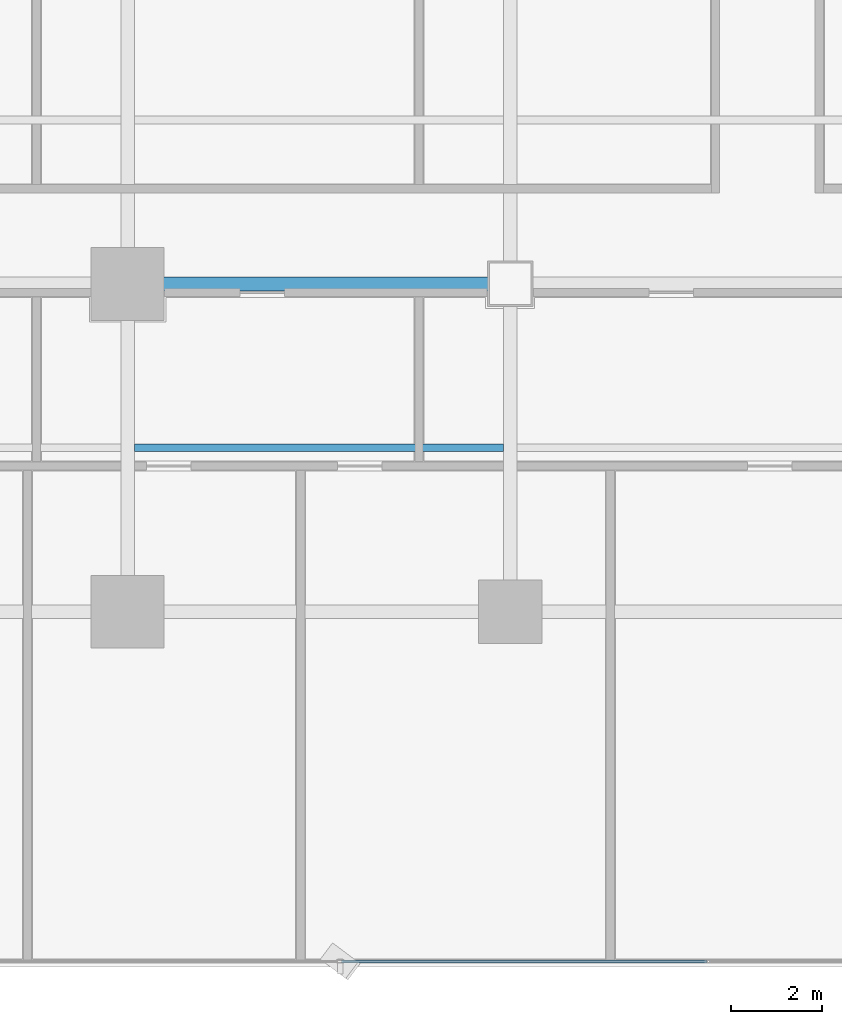
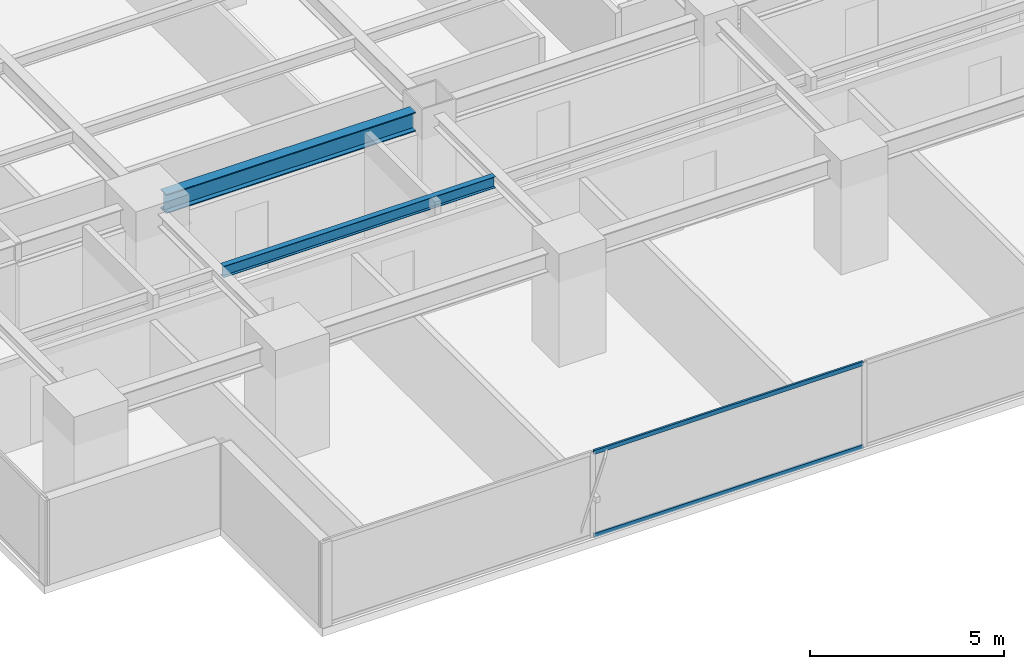
# One storey, part 5 of 36: 2 beams, 2 members, 1 element without a shape of its own.
"""IFC4 building model written with IfcOpenShell, lengths in metres."""

from ifc_helpers import new_model, si_unit, direction, frame, origin, origin_2d, place, context, subcontext, project, spatial, hollow_rectangle, i_section, extrude, source, transform, mapped, material, layer, layer_set, material_profile, profile_set, type_object, element, aggregate, save


model = new_model("IFC4")

# Units and contexts
model_context = context("Model", 3, precision=1e-05, world=origin(), true_north=direction((0.0, 1.0)))
body_context = subcontext(model_context, "Body", "Model", "MODEL_VIEW")
ifc_project = project(units=[si_unit("LENGTHUNIT", "METRE"), si_unit("AREAUNIT", "SQUARE_METRE"), si_unit("VOLUMEUNIT", "CUBIC_METRE"), si_unit("PLANEANGLEUNIT", "RADIAN"), si_unit("MASSUNIT", "GRAM", prefix="KILO")], contexts=[model_context])

# Site, building, storey
site_placement = place(None, origin())
site = spatial("IfcSite", under=ifc_project, at=site_placement, CompositionType="ELEMENT")
building_placement = place(site_placement, origin())
building = spatial("IfcBuilding", under=site, at=building_placement, Name="Sumidabori Civic Tower", CompositionType="ELEMENT")
storey_placement = place(building_placement, frame((0.0, 0.0, 120.800048828125)))
storey = spatial("IfcBuildingStorey", under=building, at=storey_placement, Name="L31", CompositionType="ELEMENT", Elevation=120.800048828125)

# Beams
ifc_material_1 = material(Name="Steel SN490", Category="steel")
ifc_material_profile_1 = material_profile(ifc_material_1, i_section(OverallWidth=0.300048828125, OverallDepth=0.60009765625, WebThickness=0.015380859375, FlangeThickness=0.030029296875, at=origin_2d()), Name="HE 600 B")
ifc_profile_set_1 = profile_set([ifc_material_profile_1], Name="Steel SN490")
beam_type_1 = type_object("IfcBeamType", Name="BM-GIRD-600", PredefinedType="BEAM", material=ifc_profile_set_1)
shared_shape_1 = source(origin(), body_context, "Body", "SweptSolid", [
    extrude(i_section(OverallWidth=0.300048828125, OverallDepth=0.60009765625, WebThickness=0.015380859375, FlangeThickness=0.030029296875, at=origin_2d()), origin(), (0.0, 0.0, 1.0), 7.440185546875),
])
beam_1_placement = place(storey_placement, frame((-16.320068359375, -10.800048828125, 3.0), z_axis=(1.0, 0.0, 0.0), x_axis=(0.0, 1.0, 0.0)))
element("IfcBeam", 1, at=beam_1_placement, inside=storey, type_object=beam_type_1, Name="Primary Girder L31 GX-08", PredefinedType="BEAM", context=body_context, shape_type="MappedRepresentation", body=[
    mapped(shared_shape_1, transform((0.0, 0.0, 0.0), x_axis=(1.0, 0.0, 0.0), y_axis=(0.0, 1.0, 0.0), z_axis=(0.0, 0.0, 1.0), scale=1.0)),
])
ifc_material_profile_2 = material_profile(ifc_material_1, i_section(OverallWidth=0.169921875, OverallDepth=0.360107421875, WebThickness=0.008056640625, FlangeThickness=0.0126953125, at=origin_2d()), Name="IPE 360")
ifc_profile_set_2 = profile_set([ifc_material_profile_2], Name="Steel SN490")
beam_type_2 = type_object("IfcBeamType", Name="BM-JST-360", PredefinedType="JOIST", material=ifc_profile_set_2)
shared_shape_2 = source(origin(), body_context, "Body", "SweptSolid", [
    extrude(i_section(OverallWidth=0.169921875, OverallDepth=0.360107421875, WebThickness=0.008056640625, FlangeThickness=0.0126953125, at=origin_2d()), origin(), (0.0, 0.0, 1.0), 8.099853515625),
])
beam_2_placement = place(storey_placement, frame((-16.64990234375, -14.39990234375, 3.119873046875), z_axis=(1.0, 0.0, 0.0), x_axis=(0.0, 1.0, 0.0)))
element("IfcBeam", 2, at=beam_2_placement, inside=storey, type_object=beam_type_2, Name="South Bay Floor Joist L31 JSTS-55", PredefinedType="JOIST", context=body_context, shape_type="MappedRepresentation", body=[
    mapped(shared_shape_2, transform((0.0, 0.0, 0.0), x_axis=(1.0, 0.0, 0.0), y_axis=(0.0, 1.0, 0.0), z_axis=(0.0, 0.0, 1.0), scale=1.0)),
])

# Curtain wall, members
ifc_material_2 = material(Name="Anodised Bronze Aluminium AW-6063-T6", Category="aluminium")
ifc_layer = layer(ifc_material_2, 0.179931640625, Name="Anodised Bronze Aluminium AW-6063-T6")
ifc_layer_set = layer_set([ifc_layer], Name="Anodised Bronze Aluminium AW-6063-T6")
curtain_wall_type = type_object("IfcCurtainWallType", Name="CW-SYS-3", PredefinedType="NOTDEFINED", material=ifc_layer_set)
curtain_wall_placement = place(storey_placement, origin())
curtain_wall = element("IfcCurtainWall", 3, at=curtain_wall_placement, inside=storey, type_object=curtain_wall_type, Name="Curtain Wall CW:L31:R01", PredefinedType="NOTDEFINED")
ifc_material_profile_3 = material_profile(ifc_material_2, hollow_rectangle(XDim=0.06005859375, YDim=0.1298828125, WallThickness=0.0048828125, at=origin_2d()), Name="ALU TRANSOM 130x60")
ifc_profile_set_3 = profile_set([ifc_material_profile_3], Name="Anodised Bronze Aluminium AW-6063-T6")
member_type = type_object("IfcMemberType", Name="CW-TRN-130", PredefinedType="USERDEFINED", material=ifc_profile_set_3)
shared_shape_3 = source(origin(), body_context, "Body", "SweptSolid", [
    extrude(hollow_rectangle(XDim=0.06005859375, YDim=0.1298828125, WallThickness=0.0048828125, at=origin_2d()), origin(), (0.0, 0.0, 1.0), 8.023193359375),
])
member_1_placement = place(storey_placement, frame((-12.099609375, -25.679931640625, 0.030029296875), z_axis=(1.0, 0.0, 0.0), x_axis=(0.0, 1.0, 0.0)))
member_1 = element("IfcMember", 4, at=member_1_placement, type_object=member_type, Name="CW-3 transom 2.1", ObjectType="TRANSOM", PredefinedType="USERDEFINED", context=body_context, shape_type="MappedRepresentation", body=[
    mapped(shared_shape_3, transform((0.0, 0.0, 0.0), x_axis=(1.0, 0.0, 0.0), y_axis=(0.0, 1.0, 0.0), z_axis=(0.0, 0.0, 1.0), scale=1.0)),
])
member_2_placement = place(storey_placement, frame((-12.099609375, -25.679931640625, 2.64990234375), z_axis=(1.0, 0.0, 0.0), x_axis=(0.0, 1.0, 0.0)))
member_2 = element("IfcMember", 5, at=member_2_placement, type_object=member_type, Name="CW-3 transom 2.2", ObjectType="TRANSOM", PredefinedType="USERDEFINED", context=body_context, shape_type="MappedRepresentation", body=[
    mapped(shared_shape_3, transform((0.0, 0.0, 0.0), x_axis=(1.0, 0.0, 0.0), y_axis=(0.0, 1.0, 0.0), z_axis=(0.0, 0.0, 1.0), scale=1.0)),
])
aggregate(curtain_wall, [member_1, member_2])

save(model, "model.ifc")
